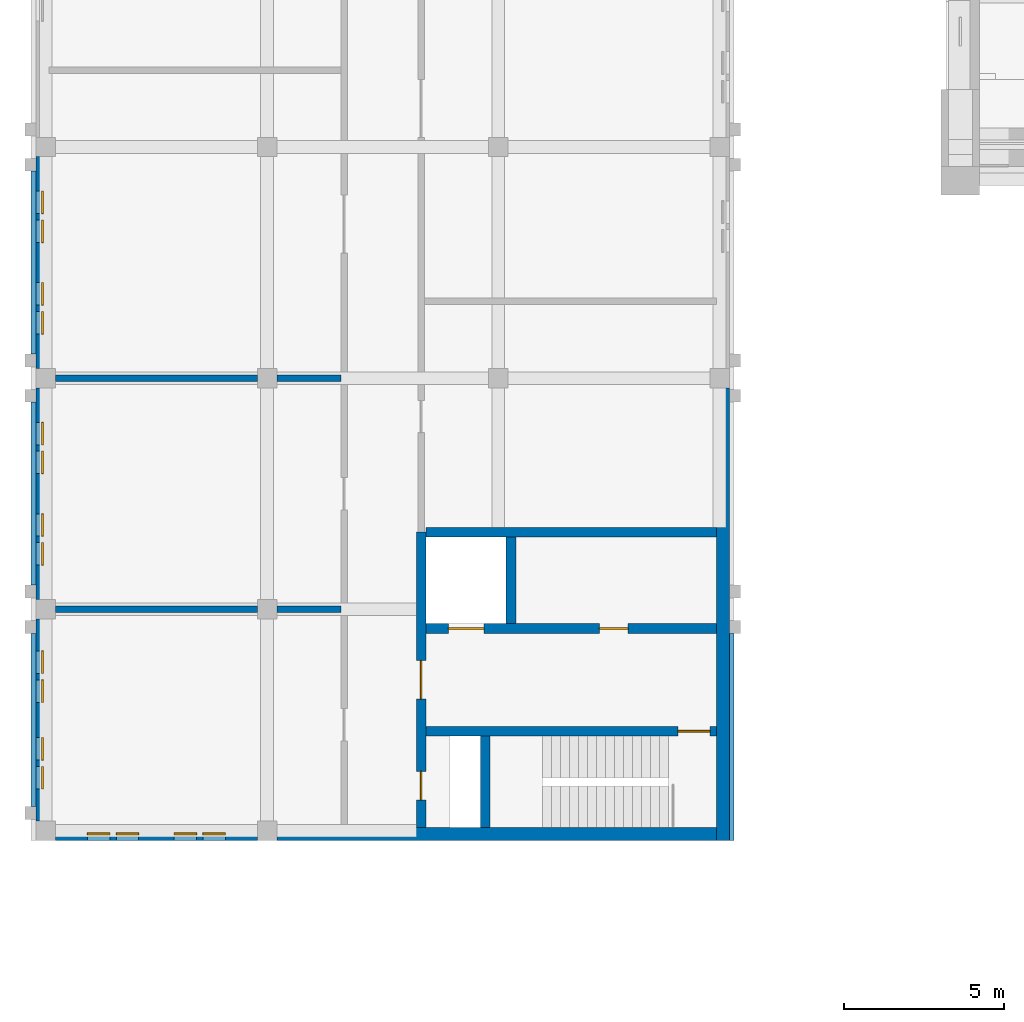
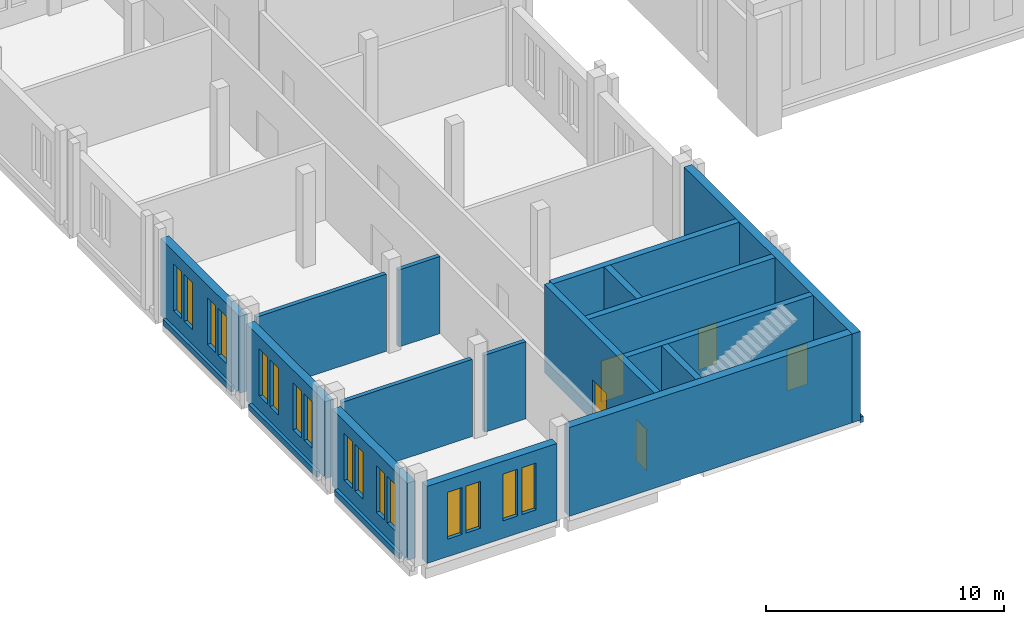
# One storey, part 121 of 149: 20 walls, 16 windows, 5 doors, 21 openings.
"""IFC4 building model written with IfcOpenShell, lengths in metres."""

from ifc_helpers import new_model, si_unit, direction, frame, frame_2d, origin, place, context, subcontext, project, spatial, rectangle, extrude, material, layer, layer_set, type_object, element, fill, save


model = new_model("IFC4")

# Units and contexts
model_context = context("Model", 3, precision=1e-05, world=origin(), true_north=direction((0.0, 1.0)))
body_context = subcontext(model_context, "Body", "Model", "MODEL_VIEW")
ifc_project = project(units=[si_unit("LENGTHUNIT", "METRE"), si_unit("AREAUNIT", "SQUARE_METRE"), si_unit("VOLUMEUNIT", "CUBIC_METRE"), si_unit("PLANEANGLEUNIT", "RADIAN"), si_unit("MASSUNIT", "GRAM", prefix="KILO")], contexts=[model_context])

# Site, building, storey
site_placement = place(None, origin())
site = spatial("IfcSite", under=ifc_project, at=site_placement, CompositionType="ELEMENT")
building_placement = place(site_placement, origin())
building = spatial("IfcBuilding", under=site, at=building_placement, Name="Alderwick Market Hall", CompositionType="ELEMENT")
storey_placement = place(building_placement, frame((0.0, 0.0, 9.60009765625)))
storey = spatial("IfcBuildingStorey", under=building, at=storey_placement, Name="L01", CompositionType="ELEMENT", Elevation=9.60009765625)

# Wall, openings, windows
ifc_material_1 = material(Name="Face brick", Category="masonry")
ifc_layer_1 = layer(ifc_material_1, 0.39990234375)
ifc_layer_set_1 = layer_set([ifc_layer_1], Name="Face brick")
wall_type_1 = type_object("IfcWallType", Name="B Brick Cavity Wall 400", PredefinedType="SOLIDWALL", material=ifc_layer_set_1)
wall_1_placement = place(storey_placement, frame((22.199951171875, 29.0, 0.0), z_axis=(0.0, 0.0, 1.0), x_axis=(1.0, 0.0, 0.0)))
wall_1 = element("IfcWall", 1, at=wall_1_placement, inside=storey, type_object=wall_type_1, Name="B.S.wall.L01.000", PredefinedType="SOLIDWALL", context=body_context, shape_type="SweptSolid", body=[
    extrude(rectangle(XDim=6.300048828125, YDim=0.39990234375, at=frame_2d((3.14990234375, 0.0))), origin(), (0.0, 0.0, 1.0), 3.949951171875),
])
opening_1_placement = place(wall_1_placement, frame((1.0, 0.0, 0.89990234375)))
opening_1 = element("IfcOpeningElement", 2, at=opening_1_placement, cuts=wall_1, Name="Opening B-W114", PredefinedType="OPENING", context=body_context, shape_type="SweptSolid", body=[
    extrude(rectangle(XDim=0.699951171875, YDim=2.39990234375, at=frame_2d((0.35009765625, 1.199951171875))), frame((0.0, 0.2099609375, 0.0), z_axis=(0.0, -1.0, 0.0), x_axis=(1.0, 0.0, 0.0)), (0.0, 0.0, 1.0), 0.419921875),
])
opening_2_placement = place(wall_1_placement, frame((1.89990234375, 0.0, 0.89990234375)))
opening_2 = element("IfcOpeningElement", 3, at=opening_2_placement, cuts=wall_1, Name="Opening B-W115", PredefinedType="OPENING", context=body_context, shape_type="SweptSolid", body=[
    extrude(rectangle(XDim=0.699951171875, YDim=2.39990234375, at=frame_2d((0.35009765625, 1.199951171875))), frame((0.0, 0.2099609375, 0.0), z_axis=(0.0, -1.0, 0.0), x_axis=(1.0, 0.0, 0.0)), (0.0, 0.0, 1.0), 0.419921875),
])
opening_3_placement = place(wall_1_placement, frame((3.699951171875, 0.0, 0.89990234375)))
opening_3 = element("IfcOpeningElement", 4, at=opening_3_placement, cuts=wall_1, Name="Opening B-W116", PredefinedType="OPENING", context=body_context, shape_type="SweptSolid", body=[
    extrude(rectangle(XDim=0.699951171875, YDim=2.39990234375, at=frame_2d((0.35009765625, 1.199951171875))), frame((0.0, 0.2099609375, 0.0), z_axis=(0.0, -1.0, 0.0), x_axis=(1.0, 0.0, 0.0)), (0.0, 0.0, 1.0), 0.419921875),
])
opening_4_placement = place(wall_1_placement, frame((4.60009765625, 0.0, 0.89990234375)))
opening_4 = element("IfcOpeningElement", 5, at=opening_4_placement, cuts=wall_1, Name="Opening B-W117", PredefinedType="OPENING", context=body_context, shape_type="SweptSolid", body=[
    extrude(rectangle(XDim=0.699951171875, YDim=2.39990234375, at=frame_2d((0.35009765625, 1.199951171875))), frame((0.0, 0.2099609375, 0.0), z_axis=(0.0, -1.0, 0.0), x_axis=(1.0, 0.0, 0.0)), (0.0, 0.0, 1.0), 0.419921875),
])
ifc_material_2 = material(Name="Aluminium frame", Category="aluminium")
window_type = type_object("IfcWindowType", Name="B Piano Nobile Window 700x2400", PartitioningType="SINGLE_PANEL", PredefinedType="WINDOW", material=ifc_material_2)
window_1_placement = place(opening_1_placement, origin())
window_1 = element("IfcWindow", 6, at=window_1_placement, inside=storey, type_object=window_type, Name="Window B-W114", OverallHeight=2.39990234375, OverallWidth=0.699951171875, PartitioningType="SINGLE_PANEL", PredefinedType="WINDOW", context=body_context, shape_type="SweptSolid", body=[
    extrude(rectangle(XDim=0.699951171875, YDim=2.39990234375, at=frame_2d((0.35009765625, 1.199951171875))), frame((0.0, 0.030029296875, 0.0), z_axis=(0.0, -1.0, 0.0), x_axis=(1.0, 0.0, 0.0)), (0.0, 0.0, 1.0), 0.06005859375),
])
fill(opening_1, window_1)
window_2_placement = place(opening_2_placement, origin())
window_2 = element("IfcWindow", 7, at=window_2_placement, inside=storey, type_object=window_type, Name="Window B-W115", OverallHeight=2.39990234375, OverallWidth=0.699951171875, PartitioningType="SINGLE_PANEL", PredefinedType="WINDOW", context=body_context, shape_type="SweptSolid", body=[
    extrude(rectangle(XDim=0.699951171875, YDim=2.39990234375, at=frame_2d((0.35009765625, 1.199951171875))), frame((0.0, 0.030029296875, 0.0), z_axis=(0.0, -1.0, 0.0), x_axis=(1.0, 0.0, 0.0)), (0.0, 0.0, 1.0), 0.06005859375),
])
fill(opening_2, window_2)
window_3_placement = place(opening_3_placement, origin())
window_3 = element("IfcWindow", 8, at=window_3_placement, inside=storey, type_object=window_type, Name="Window B-W116", OverallHeight=2.39990234375, OverallWidth=0.699951171875, PartitioningType="SINGLE_PANEL", PredefinedType="WINDOW", context=body_context, shape_type="SweptSolid", body=[
    extrude(rectangle(XDim=0.699951171875, YDim=2.39990234375, at=frame_2d((0.35009765625, 1.199951171875))), frame((0.0, 0.030029296875, 0.0), z_axis=(0.0, -1.0, 0.0), x_axis=(1.0, 0.0, 0.0)), (0.0, 0.0, 1.0), 0.06005859375),
])
fill(opening_3, window_3)
window_4_placement = place(opening_4_placement, origin())
window_4 = element("IfcWindow", 9, at=window_4_placement, inside=storey, type_object=window_type, Name="Window B-W117", OverallHeight=2.39990234375, OverallWidth=0.699951171875, PartitioningType="SINGLE_PANEL", PredefinedType="WINDOW", context=body_context, shape_type="SweptSolid", body=[
    extrude(rectangle(XDim=0.699951171875, YDim=2.39990234375, at=frame_2d((0.35009765625, 1.199951171875))), frame((0.0, 0.030029296875, 0.0), z_axis=(0.0, -1.0, 0.0), x_axis=(1.0, 0.0, 0.0)), (0.0, 0.0, 1.0), 0.06005859375),
])
fill(opening_4, window_4)

wall_2_placement = place(storey_placement, frame((21.800048828125, 29.39990234375, 0.0), z_axis=(0.0, 0.0, 1.0), x_axis=(0.0, 1.0, 0.0)))
wall_2 = element("IfcWall", 10, at=wall_2_placement, inside=storey, type_object=wall_type_1, Name="B.S.wall.L01.018", PredefinedType="SOLIDWALL", context=body_context, shape_type="SweptSolid", body=[
    extrude(rectangle(XDim=6.300048828125, YDim=0.39990234375, at=frame_2d((3.14990234375, 0.0))), origin(), (0.0, 0.0, 1.0), 3.949951171875),
])
opening_5_placement = place(wall_2_placement, frame((1.0, 0.0, 0.89990234375)))
opening_5 = element("IfcOpeningElement", 11, at=opening_5_placement, cuts=wall_2, Name="Opening B-W122", PredefinedType="OPENING", context=body_context, shape_type="SweptSolid", body=[
    extrude(rectangle(XDim=0.699951171875, YDim=2.39990234375, at=frame_2d((0.35009765625, 1.199951171875))), frame((0.0, 0.2099609375, 0.0), z_axis=(0.0, -1.0, 0.0), x_axis=(1.0, 0.0, 0.0)), (0.0, 0.0, 1.0), 0.419921875),
])
opening_6_placement = place(wall_2_placement, frame((1.89990234375, 0.0, 0.89990234375)))
opening_6 = element("IfcOpeningElement", 12, at=opening_6_placement, cuts=wall_2, Name="Opening B-W123", PredefinedType="OPENING", context=body_context, shape_type="SweptSolid", body=[
    extrude(rectangle(XDim=0.699951171875, YDim=2.39990234375, at=frame_2d((0.35009765625, 1.199951171875))), frame((0.0, 0.2099609375, 0.0), z_axis=(0.0, -1.0, 0.0), x_axis=(1.0, 0.0, 0.0)), (0.0, 0.0, 1.0), 0.419921875),
])
opening_7_placement = place(wall_2_placement, frame((3.699951171875, 0.0, 0.89990234375)))
opening_7 = element("IfcOpeningElement", 13, at=opening_7_placement, cuts=wall_2, Name="Opening B-W124", PredefinedType="OPENING", context=body_context, shape_type="SweptSolid", body=[
    extrude(rectangle(XDim=0.699951171875, YDim=2.39990234375, at=frame_2d((0.35009765625, 1.199951171875))), frame((0.0, 0.2099609375, 0.0), z_axis=(0.0, -1.0, 0.0), x_axis=(1.0, 0.0, 0.0)), (0.0, 0.0, 1.0), 0.419921875),
])
opening_8_placement = place(wall_2_placement, frame((4.60009765625, 0.0, 0.89990234375)))
opening_8 = element("IfcOpeningElement", 14, at=opening_8_placement, cuts=wall_2, Name="Opening B-W125", PredefinedType="OPENING", context=body_context, shape_type="SweptSolid", body=[
    extrude(rectangle(XDim=0.699951171875, YDim=2.39990234375, at=frame_2d((0.35009765625, 1.199951171875))), frame((0.0, 0.2099609375, 0.0), z_axis=(0.0, -1.0, 0.0), x_axis=(1.0, 0.0, 0.0)), (0.0, 0.0, 1.0), 0.419921875),
])
window_5_placement = place(opening_5_placement, origin())
window_5 = element("IfcWindow", 15, at=window_5_placement, inside=storey, type_object=window_type, Name="Window B-W122", OverallHeight=2.39990234375, OverallWidth=0.699951171875, PartitioningType="SINGLE_PANEL", PredefinedType="WINDOW", context=body_context, shape_type="SweptSolid", body=[
    extrude(rectangle(XDim=0.699951171875, YDim=2.39990234375, at=frame_2d((0.35009765625, 1.199951171875))), frame((0.0, 0.030029296875, 0.0), z_axis=(0.0, -1.0, 0.0), x_axis=(1.0, 0.0, 0.0)), (0.0, 0.0, 1.0), 0.06005859375),
])
fill(opening_5, window_5)
window_6_placement = place(opening_6_placement, origin())
window_6 = element("IfcWindow", 16, at=window_6_placement, inside=storey, type_object=window_type, Name="Window B-W123", OverallHeight=2.39990234375, OverallWidth=0.699951171875, PartitioningType="SINGLE_PANEL", PredefinedType="WINDOW", context=body_context, shape_type="SweptSolid", body=[
    extrude(rectangle(XDim=0.699951171875, YDim=2.39990234375, at=frame_2d((0.35009765625, 1.199951171875))), frame((0.0, 0.030029296875, 0.0), z_axis=(0.0, -1.0, 0.0), x_axis=(1.0, 0.0, 0.0)), (0.0, 0.0, 1.0), 0.06005859375),
])
fill(opening_6, window_6)
window_7_placement = place(opening_7_placement, origin())
window_7 = element("IfcWindow", 17, at=window_7_placement, inside=storey, type_object=window_type, Name="Window B-W124", OverallHeight=2.39990234375, OverallWidth=0.699951171875, PartitioningType="SINGLE_PANEL", PredefinedType="WINDOW", context=body_context, shape_type="SweptSolid", body=[
    extrude(rectangle(XDim=0.699951171875, YDim=2.39990234375, at=frame_2d((0.35009765625, 1.199951171875))), frame((0.0, 0.030029296875, 0.0), z_axis=(0.0, -1.0, 0.0), x_axis=(1.0, 0.0, 0.0)), (0.0, 0.0, 1.0), 0.06005859375),
])
fill(opening_7, window_7)
window_8_placement = place(opening_8_placement, origin())
window_8 = element("IfcWindow", 18, at=window_8_placement, inside=storey, type_object=window_type, Name="Window B-W125", OverallHeight=2.39990234375, OverallWidth=0.699951171875, PartitioningType="SINGLE_PANEL", PredefinedType="WINDOW", context=body_context, shape_type="SweptSolid", body=[
    extrude(rectangle(XDim=0.699951171875, YDim=2.39990234375, at=frame_2d((0.35009765625, 1.199951171875))), frame((0.0, 0.030029296875, 0.0), z_axis=(0.0, -1.0, 0.0), x_axis=(1.0, 0.0, 0.0)), (0.0, 0.0, 1.0), 0.06005859375),
])
fill(opening_8, window_8)

wall_3_placement = place(storey_placement, frame((21.800048828125, 36.300048828125, 0.0), z_axis=(0.0, 0.0, 1.0), x_axis=(0.0, 1.0, 0.0)))
wall_3 = element("IfcWall", 19, at=wall_3_placement, inside=storey, type_object=wall_type_1, Name="B.S.wall.L01.019", PredefinedType="SOLIDWALL", context=body_context, shape_type="SweptSolid", body=[
    extrude(rectangle(XDim=6.599853515625, YDim=0.39990234375, at=frame_2d((3.2998046875, 0.0))), origin(), (0.0, 0.0, 1.0), 3.949951171875),
])
opening_9_placement = place(wall_3_placement, frame((1.074951171875, 0.0, 0.89990234375)))
opening_9 = element("IfcOpeningElement", 20, at=opening_9_placement, cuts=wall_3, Name="Opening B-W126", PredefinedType="OPENING", context=body_context, shape_type="SweptSolid", body=[
    extrude(rectangle(XDim=0.699951171875, YDim=2.39990234375, at=frame_2d((0.35009765625, 1.199951171875))), frame((0.0, 0.2099609375, 0.0), z_axis=(0.0, -1.0, 0.0), x_axis=(1.0, 0.0, 0.0)), (0.0, 0.0, 1.0), 0.419921875),
])
opening_10_placement = place(wall_3_placement, frame((1.97509765625, 0.0, 0.89990234375)))
opening_10 = element("IfcOpeningElement", 21, at=opening_10_placement, cuts=wall_3, Name="Opening B-W127", PredefinedType="OPENING", context=body_context, shape_type="SweptSolid", body=[
    extrude(rectangle(XDim=0.699951171875, YDim=2.39990234375, at=frame_2d((0.35009765625, 1.199951171875))), frame((0.0, 0.2099609375, 0.0), z_axis=(0.0, -1.0, 0.0), x_axis=(1.0, 0.0, 0.0)), (0.0, 0.0, 1.0), 0.419921875),
])
opening_11_placement = place(wall_3_placement, frame((3.925048828125, 0.0, 0.89990234375)))
opening_11 = element("IfcOpeningElement", 22, at=opening_11_placement, cuts=wall_3, Name="Opening B-W128", PredefinedType="OPENING", context=body_context, shape_type="SweptSolid", body=[
    extrude(rectangle(XDim=0.699951171875, YDim=2.39990234375, at=frame_2d((0.35009765625, 1.199951171875))), frame((0.0, 0.2099609375, 0.0), z_axis=(0.0, -1.0, 0.0), x_axis=(1.0, 0.0, 0.0)), (0.0, 0.0, 1.0), 0.419921875),
])
opening_12_placement = place(wall_3_placement, frame((4.824951171875, 0.0, 0.89990234375)))
opening_12 = element("IfcOpeningElement", 23, at=opening_12_placement, cuts=wall_3, Name="Opening B-W129", PredefinedType="OPENING", context=body_context, shape_type="SweptSolid", body=[
    extrude(rectangle(XDim=0.699951171875, YDim=2.39990234375, at=frame_2d((0.35009765625, 1.199951171875))), frame((0.0, 0.2099609375, 0.0), z_axis=(0.0, -1.0, 0.0), x_axis=(1.0, 0.0, 0.0)), (0.0, 0.0, 1.0), 0.419921875),
])
window_9_placement = place(opening_9_placement, origin())
window_9 = element("IfcWindow", 24, at=window_9_placement, inside=storey, type_object=window_type, Name="Window B-W126", OverallHeight=2.39990234375, OverallWidth=0.699951171875, PartitioningType="SINGLE_PANEL", PredefinedType="WINDOW", context=body_context, shape_type="SweptSolid", body=[
    extrude(rectangle(XDim=0.699951171875, YDim=2.39990234375, at=frame_2d((0.35009765625, 1.199951171875))), frame((0.0, 0.030029296875, 0.0), z_axis=(0.0, -1.0, 0.0), x_axis=(1.0, 0.0, 0.0)), (0.0, 0.0, 1.0), 0.06005859375),
])
fill(opening_9, window_9)
window_10_placement = place(opening_10_placement, origin())
window_10 = element("IfcWindow", 25, at=window_10_placement, inside=storey, type_object=window_type, Name="Window B-W127", OverallHeight=2.39990234375, OverallWidth=0.699951171875, PartitioningType="SINGLE_PANEL", PredefinedType="WINDOW", context=body_context, shape_type="SweptSolid", body=[
    extrude(rectangle(XDim=0.699951171875, YDim=2.39990234375, at=frame_2d((0.35009765625, 1.199951171875))), frame((0.0, 0.030029296875, 0.0), z_axis=(0.0, -1.0, 0.0), x_axis=(1.0, 0.0, 0.0)), (0.0, 0.0, 1.0), 0.06005859375),
])
fill(opening_10, window_10)
window_11_placement = place(opening_11_placement, origin())
window_11 = element("IfcWindow", 26, at=window_11_placement, inside=storey, type_object=window_type, Name="Window B-W128", OverallHeight=2.39990234375, OverallWidth=0.699951171875, PartitioningType="SINGLE_PANEL", PredefinedType="WINDOW", context=body_context, shape_type="SweptSolid", body=[
    extrude(rectangle(XDim=0.699951171875, YDim=2.39990234375, at=frame_2d((0.35009765625, 1.199951171875))), frame((0.0, 0.030029296875, 0.0), z_axis=(0.0, -1.0, 0.0), x_axis=(1.0, 0.0, 0.0)), (0.0, 0.0, 1.0), 0.06005859375),
])
fill(opening_11, window_11)
window_12_placement = place(opening_12_placement, origin())
window_12 = element("IfcWindow", 27, at=window_12_placement, inside=storey, type_object=window_type, Name="Window B-W129", OverallHeight=2.39990234375, OverallWidth=0.699951171875, PartitioningType="SINGLE_PANEL", PredefinedType="WINDOW", context=body_context, shape_type="SweptSolid", body=[
    extrude(rectangle(XDim=0.699951171875, YDim=2.39990234375, at=frame_2d((0.35009765625, 1.199951171875))), frame((0.0, 0.030029296875, 0.0), z_axis=(0.0, -1.0, 0.0), x_axis=(1.0, 0.0, 0.0)), (0.0, 0.0, 1.0), 0.06005859375),
])
fill(opening_12, window_12)

wall_4_placement = place(storey_placement, frame((21.800048828125, 43.5, 0.0), z_axis=(0.0, 0.0, 1.0), x_axis=(0.0, 1.0, 0.0)))
wall_4 = element("IfcWall", 28, at=wall_4_placement, inside=storey, type_object=wall_type_1, Name="B.S.wall.L01.020", PredefinedType="SOLIDWALL", context=body_context, shape_type="SweptSolid", body=[
    extrude(rectangle(XDim=6.60009765625, YDim=0.39990234375, at=frame_2d((3.300048828125, 0.0))), origin(), (0.0, 0.0, 1.0), 3.949951171875),
])
opening_13_placement = place(wall_4_placement, frame((1.074951171875, 0.0, 0.89990234375)))
opening_13 = element("IfcOpeningElement", 29, at=opening_13_placement, cuts=wall_4, Name="Opening B-W130", PredefinedType="OPENING", context=body_context, shape_type="SweptSolid", body=[
    extrude(rectangle(XDim=0.699951171875, YDim=2.39990234375, at=frame_2d((0.35009765625, 1.199951171875))), frame((0.0, 0.2099609375, 0.0), z_axis=(0.0, -1.0, 0.0), x_axis=(1.0, 0.0, 0.0)), (0.0, 0.0, 1.0), 0.419921875),
])
opening_14_placement = place(wall_4_placement, frame((1.97509765625, 0.0, 0.89990234375)))
opening_14 = element("IfcOpeningElement", 30, at=opening_14_placement, cuts=wall_4, Name="Opening B-W131", PredefinedType="OPENING", context=body_context, shape_type="SweptSolid", body=[
    extrude(rectangle(XDim=0.699951171875, YDim=2.39990234375, at=frame_2d((0.35009765625, 1.199951171875))), frame((0.0, 0.2099609375, 0.0), z_axis=(0.0, -1.0, 0.0), x_axis=(1.0, 0.0, 0.0)), (0.0, 0.0, 1.0), 0.419921875),
])
opening_15_placement = place(wall_4_placement, frame((3.925048828125, 0.0, 0.89990234375)))
opening_15 = element("IfcOpeningElement", 31, at=opening_15_placement, cuts=wall_4, Name="Opening B-W132", PredefinedType="OPENING", context=body_context, shape_type="SweptSolid", body=[
    extrude(rectangle(XDim=0.699951171875, YDim=2.39990234375, at=frame_2d((0.35009765625, 1.199951171875))), frame((0.0, 0.2099609375, 0.0), z_axis=(0.0, -1.0, 0.0), x_axis=(1.0, 0.0, 0.0)), (0.0, 0.0, 1.0), 0.419921875),
])
opening_16_placement = place(wall_4_placement, frame((4.824951171875, 0.0, 0.89990234375)))
opening_16 = element("IfcOpeningElement", 32, at=opening_16_placement, cuts=wall_4, Name="Opening B-W133", PredefinedType="OPENING", context=body_context, shape_type="SweptSolid", body=[
    extrude(rectangle(XDim=0.699951171875, YDim=2.39990234375, at=frame_2d((0.35009765625, 1.199951171875))), frame((0.0, 0.2099609375, 0.0), z_axis=(0.0, -1.0, 0.0), x_axis=(1.0, 0.0, 0.0)), (0.0, 0.0, 1.0), 0.419921875),
])
window_13_placement = place(opening_13_placement, origin())
window_13 = element("IfcWindow", 33, at=window_13_placement, inside=storey, type_object=window_type, Name="Window B-W130", OverallHeight=2.39990234375, OverallWidth=0.699951171875, PartitioningType="SINGLE_PANEL", PredefinedType="WINDOW", context=body_context, shape_type="SweptSolid", body=[
    extrude(rectangle(XDim=0.699951171875, YDim=2.39990234375, at=frame_2d((0.35009765625, 1.199951171875))), frame((0.0, 0.030029296875, 0.0), z_axis=(0.0, -1.0, 0.0), x_axis=(1.0, 0.0, 0.0)), (0.0, 0.0, 1.0), 0.06005859375),
])
fill(opening_13, window_13)
window_14_placement = place(opening_14_placement, origin())
window_14 = element("IfcWindow", 34, at=window_14_placement, inside=storey, type_object=window_type, Name="Window B-W131", OverallHeight=2.39990234375, OverallWidth=0.699951171875, PartitioningType="SINGLE_PANEL", PredefinedType="WINDOW", context=body_context, shape_type="SweptSolid", body=[
    extrude(rectangle(XDim=0.699951171875, YDim=2.39990234375, at=frame_2d((0.35009765625, 1.199951171875))), frame((0.0, 0.030029296875, 0.0), z_axis=(0.0, -1.0, 0.0), x_axis=(1.0, 0.0, 0.0)), (0.0, 0.0, 1.0), 0.06005859375),
])
fill(opening_14, window_14)
window_15_placement = place(opening_15_placement, origin())
window_15 = element("IfcWindow", 35, at=window_15_placement, inside=storey, type_object=window_type, Name="Window B-W132", OverallHeight=2.39990234375, OverallWidth=0.699951171875, PartitioningType="SINGLE_PANEL", PredefinedType="WINDOW", context=body_context, shape_type="SweptSolid", body=[
    extrude(rectangle(XDim=0.699951171875, YDim=2.39990234375, at=frame_2d((0.35009765625, 1.199951171875))), frame((0.0, 0.030029296875, 0.0), z_axis=(0.0, -1.0, 0.0), x_axis=(1.0, 0.0, 0.0)), (0.0, 0.0, 1.0), 0.06005859375),
])
fill(opening_15, window_15)
window_16_placement = place(opening_16_placement, origin())
window_16 = element("IfcWindow", 36, at=window_16_placement, inside=storey, type_object=window_type, Name="Window B-W133", OverallHeight=2.39990234375, OverallWidth=0.699951171875, PartitioningType="SINGLE_PANEL", PredefinedType="WINDOW", context=body_context, shape_type="SweptSolid", body=[
    extrude(rectangle(XDim=0.699951171875, YDim=2.39990234375, at=frame_2d((0.35009765625, 1.199951171875))), frame((0.0, 0.030029296875, 0.0), z_axis=(0.0, -1.0, 0.0), x_axis=(1.0, 0.0, 0.0)), (0.0, 0.0, 1.0), 0.06005859375),
])
fill(opening_16, window_16)

# Walls
ifc_material_3 = material(Name="Cast stone 5000 psi", Category="masonry")
ifc_layer_2 = layer(ifc_material_3, 0.14990234375)
ifc_layer_set_2 = layer_set([ifc_layer_2], Name="Cast stone 5000 psi")
wall_type_2 = type_object("IfcWallType", Name="B Cast Stone String Course 150", PredefinedType="SOLIDWALL", material=ifc_layer_set_2)
wall_5_placement = place(storey_placement, frame((21.52490234375, 29.85009765625, -0.150146484375), z_axis=(0.0, 0.0, 1.0), x_axis=(0.0, 1.0, 0.0)))
element("IfcWall", 37, at=wall_5_placement, inside=storey, type_object=wall_type_2, Name="B.S.string.W.01", PredefinedType="SOLIDWALL", context=body_context, shape_type="SweptSolid", body=[
    extrude(rectangle(XDim=5.39990234375, YDim=0.14990234375, at=frame_2d((2.699951171875, 0.0))), origin(), (0.0, 0.0, 1.0), 0.300048828125),
])
for number, where, z_axis, x_axis, name in (
    (38, (21.52490234375, 36.75, -0.150146484375), (0.0, 0.0, 1.0), (0.0, 1.0, 0.0), "B.S.string.W.03"),
    (39, (21.52490234375, 43.949951171875, -0.150146484375), (0.0, 0.0, 1.0), (0.0, 1.0, 0.0), "B.S.string.W.05"),
):
    element("IfcWall", number, at=place(storey_placement, frame(where, z_axis=z_axis, x_axis=x_axis)), inside=storey, type_object=wall_type_2, Name=name, PredefinedType="SOLIDWALL", context=body_context, shape_type="SweptSolid", body=[
        extrude(rectangle(XDim=5.699951171875, YDim=0.14990234375, at=frame_2d((2.85009765625, 0.0))), origin(), (0.0, 0.0, 1.0), 0.300048828125),
    ])
wall_6_placement = place(storey_placement, frame((43.27490234375, 28.800048828125, -0.150146484375), z_axis=(0.0, 0.0, 1.0), x_axis=(0.0, 1.0, 0.0)))
element("IfcWall", 40, at=wall_6_placement, inside=storey, type_object=wall_type_2, Name="B.S.string.E.00", PredefinedType="SOLIDWALL", context=body_context, shape_type="SweptSolid", body=[
    extrude(rectangle(XDim=6.449951171875, YDim=0.14990234375, at=frame_2d((3.22509765625, 0.0))), origin(), (0.0, 0.0, 1.0), 0.300048828125),
])
ifc_material_4 = material(Name="Concrete masonry 3000 psi", Category="masonry")
ifc_layer_3 = layer(ifc_material_4, 0.199951171875)
ifc_layer_set_3 = layer_set([ifc_layer_3], Name="Concrete masonry 3000 psi")
wall_type_3 = type_object("IfcWallType", Name="B Masonry Partition 200", PredefinedType="PARTITIONING", material=ifc_layer_set_3)
wall_7_placement = place(storey_placement, frame((22.199951171875, 36.0, 0.0), z_axis=(0.0, 0.0, 1.0), x_axis=(1.0, 0.0, 0.0)))
element("IfcWall", 41, at=wall_7_placement, inside=storey, type_object=wall_type_3, Name="B.S.wall.L01.004", PredefinedType="PARTITIONING", context=body_context, shape_type="SweptSolid", body=[
    extrude(rectangle(XDim=6.300048828125, YDim=0.199951171875, at=frame_2d((3.14990234375, 0.0))), origin(), (0.0, 0.0, 1.0), 3.949951171875),
])
wall_8_placement = place(storey_placement, frame((29.10009765625, 36.0, 0.0), z_axis=(0.0, 0.0, 1.0), x_axis=(1.0, 0.0, 0.0)))
element("IfcWall", 42, at=wall_8_placement, inside=storey, type_object=wall_type_3, Name="B.S.wall.L01.005", PredefinedType="PARTITIONING", context=body_context, shape_type="SweptSolid", body=[
    extrude(rectangle(XDim=2.0, YDim=0.199951171875, at=frame_2d((1.0, 0.0))), origin(), (0.0, 0.0, 1.0), 3.949951171875),
])
wall_9_placement = place(storey_placement, frame((22.199951171875, 43.199951171875, 0.0), z_axis=(0.0, 0.0, 1.0), x_axis=(1.0, 0.0, 0.0)))
element("IfcWall", 43, at=wall_9_placement, inside=storey, type_object=wall_type_3, Name="B.S.wall.L01.007", PredefinedType="PARTITIONING", context=body_context, shape_type="SweptSolid", body=[
    extrude(rectangle(XDim=6.300048828125, YDim=0.199951171875, at=frame_2d((3.14990234375, 0.0))), origin(), (0.0, 0.0, 1.0), 3.949951171875),
])
wall_10_placement = place(storey_placement, frame((29.10009765625, 43.199951171875, 0.0), z_axis=(0.0, 0.0, 1.0), x_axis=(1.0, 0.0, 0.0)))
element("IfcWall", 44, at=wall_10_placement, inside=storey, type_object=wall_type_3, Name="B.S.wall.L01.008", PredefinedType="PARTITIONING", context=body_context, shape_type="SweptSolid", body=[
    extrude(rectangle(XDim=2.0, YDim=0.199951171875, at=frame_2d((1.0, 0.0))), origin(), (0.0, 0.0, 1.0), 3.949951171875),
])
ifc_material_5 = material(Name="Concrete 5000 psi (f'c 35 MPa)", Category="concrete")
ifc_layer_4 = layer(ifc_material_5, 0.39990234375)
ifc_layer_set_4 = layer_set([ifc_layer_4], Name="Concrete 5000 psi (f'c 35 MPa)")
wall_type_4 = type_object("IfcWallType", Name="B RC Core Facade Wall 400", PredefinedType="SHEAR", material=ifc_layer_set_4)
wall_11_placement = place(storey_placement, frame((29.10009765625, 29.0, 0.0), z_axis=(0.0, 0.0, 1.0), x_axis=(1.0, 0.0, 0.0)))
element("IfcWall", 45, at=wall_11_placement, inside=storey, type_object=wall_type_4, Name="B.S.wall.L01.001", PredefinedType="SHEAR", context=body_context, shape_type="SweptSolid", body=[
    extrude(rectangle(XDim=13.699951171875, YDim=0.39990234375, at=frame_2d((6.85009765625, 0.0))), origin(), (0.0, 0.0, 1.0), 4.5498046875),
])
wall_12_placement = place(storey_placement, frame((43.0, 28.800048828125, 0.0), z_axis=(0.0, 0.0, 1.0), x_axis=(0.0, 1.0, 0.0)))
element("IfcWall", 46, at=wall_12_placement, inside=storey, type_object=wall_type_4, Name="B.S.wall.L01.031", PredefinedType="SHEAR", context=body_context, shape_type="SweptSolid", body=[
    extrude(rectangle(XDim=14.099853515625, YDim=0.39990234375, at=frame_2d((7.0498046875, 0.0))), origin(), (0.0, 0.0, 1.0), 4.5498046875),
])

# Wall, opening, door
ifc_layer_5 = layer(ifc_material_5, 0.300048828125)
ifc_layer_set_5 = layer_set([ifc_layer_5], Name="Concrete 5000 psi (f'c 35 MPa)")
wall_type_5 = type_object("IfcWallType", Name="B RC Core Wall 300", PredefinedType="SHEAR", material=ifc_layer_set_5)
wall_13_placement = place(storey_placement, frame((33.75, 32.199951171875, 0.0), z_axis=(0.0, 0.0, 1.0), x_axis=(1.0, 0.0, 0.0)))
wall_13 = element("IfcWall", 47, at=wall_13_placement, inside=storey, type_object=wall_type_5, Name="B.S.wall.L01.002", PredefinedType="SHEAR", context=body_context, shape_type="SweptSolid", body=[
    extrude(rectangle(XDim=9.050048828125, YDim=0.300048828125, at=frame_2d((4.52490234375, 0.0))), origin(), (0.0, 0.0, 1.0), 4.5498046875),
])
opening_17_placement = place(wall_13_placement, frame((7.85009765625, 0.0, 0.0)))
opening_17 = element("IfcOpeningElement", 48, at=opening_17_placement, cuts=wall_13, Name="Opening B-D120", PredefinedType="OPENING", context=body_context, shape_type="SweptSolid", body=[
    extrude(rectangle(XDim=1.0, YDim=2.10009765625, at=frame_2d((0.5, 1.050048828125))), frame((0.0, 0.159912109375, 0.0), z_axis=(0.0, -1.0, 0.0), x_axis=(1.0, 0.0, 0.0)), (0.0, 0.0, 1.0), 0.320068359375),
])
ifc_material_6 = material(Name="Hollow metal fire door and frame")
door_type_1 = type_object("IfcDoorType", Name="B Fire Door 1000x2100", OperationType="SINGLE_SWING_LEFT", PredefinedType="DOOR", material=ifc_material_6)
door_1_placement = place(opening_17_placement, origin())
door_1 = element("IfcDoor", 49, at=door_1_placement, inside=storey, type_object=door_type_1, Name="Stair S-1 lobby door", OperationType="SINGLE_SWING_RIGHT", OverallHeight=2.10009765625, OverallWidth=1.0, PredefinedType="DOOR", context=body_context, shape_type="SweptSolid", body=[
    extrude(rectangle(XDim=1.0, YDim=2.10009765625, at=frame_2d((0.5, 1.050048828125))), frame((0.0, 0.02490234375, 0.0), z_axis=(0.0, -1.0, 0.0), x_axis=(1.0, 0.0, 0.0)), (0.0, 0.0, 1.0), 0.050048828125),
])
fill(opening_17, door_1)

# Wall, openings, doors
wall_14_placement = place(storey_placement, frame((33.75, 35.39990234375, 0.0), z_axis=(0.0, 0.0, 1.0), x_axis=(1.0, 0.0, 0.0)))
wall_14 = element("IfcWall", 50, at=wall_14_placement, inside=storey, type_object=wall_type_5, Name="B.S.wall.L01.003", PredefinedType="SHEAR", context=body_context, shape_type="SweptSolid", body=[
    extrude(rectangle(XDim=9.050048828125, YDim=0.300048828125, at=frame_2d((4.52490234375, 0.0))), origin(), (0.0, 0.0, 1.0), 4.5498046875),
])
opening_18_placement = place(wall_14_placement, frame((0.699951171875, 0.0, 0.0)))
opening_18 = element("IfcOpeningElement", 51, at=opening_18_placement, cuts=wall_14, Name="Opening B-D123", PredefinedType="OPENING", context=body_context, shape_type="SweptSolid", body=[
    extrude(rectangle(XDim=1.10009765625, YDim=2.10009765625, at=frame_2d((0.550048828125, 1.050048828125))), frame((0.0, 0.159912109375, 0.0), z_axis=(0.0, -1.0, 0.0), x_axis=(1.0, 0.0, 0.0)), (0.0, 0.0, 1.0), 0.320068359375),
])
opening_19_placement = place(wall_14_placement, frame((5.39990234375, 0.0, 0.0)))
opening_19 = element("IfcOpeningElement", 52, at=opening_19_placement, cuts=wall_14, Name="Opening B-D124", PredefinedType="OPENING", context=body_context, shape_type="SweptSolid", body=[
    extrude(rectangle(XDim=0.89990234375, YDim=2.10009765625, at=frame_2d((0.449951171875, 1.050048828125))), frame((0.0, 0.159912109375, 0.0), z_axis=(0.0, -1.0, 0.0), x_axis=(1.0, 0.0, 0.0)), (0.0, 0.0, 1.0), 0.320068359375),
])
ifc_material_7 = material(Name="Hollow metal door and frame")
door_type_2 = type_object("IfcDoorType", Name="B Door 900x2100", OperationType="SINGLE_SWING_LEFT", PredefinedType="DOOR", material=ifc_material_7)
door_2_placement = place(opening_19_placement, origin())
door_2 = element("IfcDoor", 53, at=door_2_placement, inside=storey, type_object=door_type_2, Name="Cleaners store door", OperationType="SINGLE_SWING_RIGHT", OverallHeight=2.10009765625, OverallWidth=0.89990234375, PredefinedType="DOOR", context=body_context, shape_type="SweptSolid", body=[
    extrude(rectangle(XDim=0.89990234375, YDim=2.10009765625, at=frame_2d((0.449951171875, 1.050048828125))), frame((0.0, 0.02490234375, 0.0), z_axis=(0.0, -1.0, 0.0), x_axis=(1.0, 0.0, 0.0)), (0.0, 0.0, 1.0), 0.050048828125),
])
fill(opening_19, door_2)
ifc_material_8 = material(Name="Stainless steel landing door", Category="steel")
door_type_3 = type_object("IfcDoorType", Name="B Lift Landing Door 1100x2100", OperationType="SLIDING_TO_LEFT", PredefinedType="DOOR", material=ifc_material_8)
door_3_placement = place(opening_18_placement, origin())
door_3 = element("IfcDoor", 54, at=door_3_placement, inside=storey, type_object=door_type_3, Name="Lift S-1 landing door L01", OperationType="SLIDING_TO_LEFT", OverallHeight=2.10009765625, OverallWidth=1.10009765625, PredefinedType="DOOR", context=body_context, shape_type="SweptSolid", body=[
    extrude(rectangle(XDim=1.10009765625, YDim=2.10009765625, at=frame_2d((0.550048828125, 1.050048828125))), frame((0.0, 0.02490234375, 0.0), z_axis=(0.0, -1.0, 0.0), x_axis=(1.0, 0.0, 0.0)), (0.0, 0.0, 1.0), 0.050048828125),
])
fill(opening_18, door_3)

# Wall
wall_15_placement = place(storey_placement, frame((33.75, 38.39990234375, 0.0), z_axis=(0.0, 0.0, 1.0), x_axis=(1.0, 0.0, 0.0)))
element("IfcWall", 55, at=wall_15_placement, inside=storey, type_object=wall_type_5, Name="B.S.wall.L01.006", PredefinedType="SHEAR", context=body_context, shape_type="SweptSolid", body=[
    extrude(rectangle(XDim=9.050048828125, YDim=0.300048828125, at=frame_2d((4.52490234375, 0.0))), origin(), (0.0, 0.0, 1.0), 4.5498046875),
])

# Wall, openings, doors
wall_16_placement = place(storey_placement, frame((33.60009765625, 29.199951171875, 0.0), z_axis=(0.0, 0.0, 1.0), x_axis=(0.0, 1.0, 0.0)))
wall_16 = element("IfcWall", 56, at=wall_16_placement, inside=storey, type_object=wall_type_5, Name="B.S.wall.L01.025", PredefinedType="SHEAR", context=body_context, shape_type="SweptSolid", body=[
    extrude(rectangle(XDim=9.199951171875, YDim=0.300048828125, at=frame_2d((4.60009765625, 0.0))), origin(), (0.0, 0.0, 1.0), 4.5498046875),
])
opening_20_placement = place(wall_16_placement, frame((4.0, 0.0, 0.0)))
opening_20 = element("IfcOpeningElement", 57, at=opening_20_placement, cuts=wall_16, Name="Opening B-D121", PredefinedType="OPENING", context=body_context, shape_type="SweptSolid", body=[
    extrude(rectangle(XDim=1.199951171875, YDim=2.10009765625, at=frame_2d((0.60009765625, 1.050048828125))), frame((0.0, 0.159912109375, 0.0), z_axis=(0.0, -1.0, 0.0), x_axis=(1.0, 0.0, 0.0)), (0.0, 0.0, 1.0), 0.320068359375),
])
opening_21_placement = place(wall_16_placement, frame((0.85009765625, 0.0, 0.0)))
opening_21 = element("IfcOpeningElement", 58, at=opening_21_placement, cuts=wall_16, Name="Opening B-D122", PredefinedType="OPENING", context=body_context, shape_type="SweptSolid", body=[
    extrude(rectangle(XDim=0.89990234375, YDim=2.10009765625, at=frame_2d((0.449951171875, 1.050048828125))), frame((0.0, 0.159912109375, 0.0), z_axis=(0.0, -1.0, 0.0), x_axis=(1.0, 0.0, 0.0)), (0.0, 0.0, 1.0), 0.320068359375),
])
door_type_4 = type_object("IfcDoorType", Name="B Fire Door 1200x2100", OperationType="SINGLE_SWING_LEFT", PredefinedType="DOOR", material=ifc_material_6)
door_4_placement = place(opening_20_placement, origin())
door_4 = element("IfcDoor", 59, at=door_4_placement, inside=storey, type_object=door_type_4, Name="Lobby S-1 corridor door", OperationType="SINGLE_SWING_LEFT", OverallHeight=2.10009765625, OverallWidth=1.199951171875, PredefinedType="DOOR", context=body_context, shape_type="SweptSolid", body=[
    extrude(rectangle(XDim=1.199951171875, YDim=2.10009765625, at=frame_2d((0.60009765625, 1.050048828125))), frame((0.0, 0.02490234375, 0.0), z_axis=(0.0, -1.0, 0.0), x_axis=(1.0, 0.0, 0.0)), (0.0, 0.0, 1.0), 0.050048828125),
])
fill(opening_20, door_4)
door_type_5 = type_object("IfcDoorType", Name="B Fire Door 900x2100", OperationType="SINGLE_SWING_LEFT", PredefinedType="DOOR", material=ifc_material_6)
door_5_placement = place(opening_21_placement, origin())
door_5 = element("IfcDoor", 60, at=door_5_placement, inside=storey, type_object=door_type_5, Name="Riser S-1 access door", OperationType="SINGLE_SWING_RIGHT", OverallHeight=2.10009765625, OverallWidth=0.89990234375, PredefinedType="DOOR", context=body_context, shape_type="SweptSolid", body=[
    extrude(rectangle(XDim=0.89990234375, YDim=2.10009765625, at=frame_2d((0.449951171875, 1.050048828125))), frame((0.0, 0.02490234375, 0.0), z_axis=(0.0, -1.0, 0.0), x_axis=(1.0, 0.0, 0.0)), (0.0, 0.0, 1.0), 0.050048828125),
])
fill(opening_21, door_5)

# Walls
wall_17_placement = place(storey_placement, frame((35.60009765625, 29.199951171875, 0.0), z_axis=(0.0, 0.0, 1.0), x_axis=(0.0, 1.0, 0.0)))
element("IfcWall", 61, at=wall_17_placement, inside=storey, type_object=wall_type_5, Name="B.S.wall.L01.028", PredefinedType="SHEAR", context=body_context, shape_type="SweptSolid", body=[
    extrude(rectangle(XDim=2.85009765625, YDim=0.300048828125, at=frame_2d((1.425048828125, 0.0))), origin(), (0.0, 0.0, 1.0), 4.5498046875),
])
wall_18_placement = place(storey_placement, frame((36.39990234375, 35.550048828125, 0.0), z_axis=(0.0, 0.0, 1.0), x_axis=(0.0, 1.0, 0.0)))
element("IfcWall", 62, at=wall_18_placement, inside=storey, type_object=wall_type_5, Name="B.S.wall.L01.030", PredefinedType="SHEAR", context=body_context, shape_type="SweptSolid", body=[
    extrude(rectangle(XDim=2.699951171875, YDim=0.300048828125, at=frame_2d((1.35009765625, 0.0))), origin(), (0.0, 0.0, 1.0), 4.5498046875),
])

save(model, "model.ifc")
